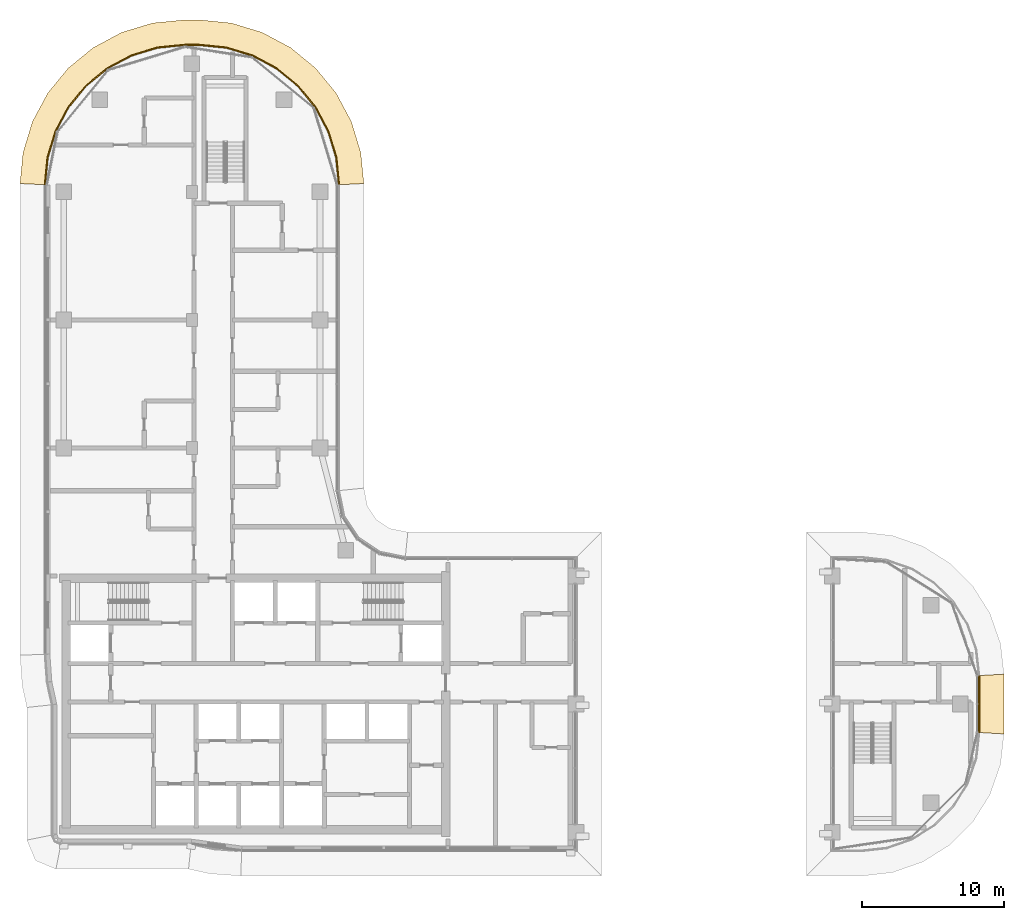
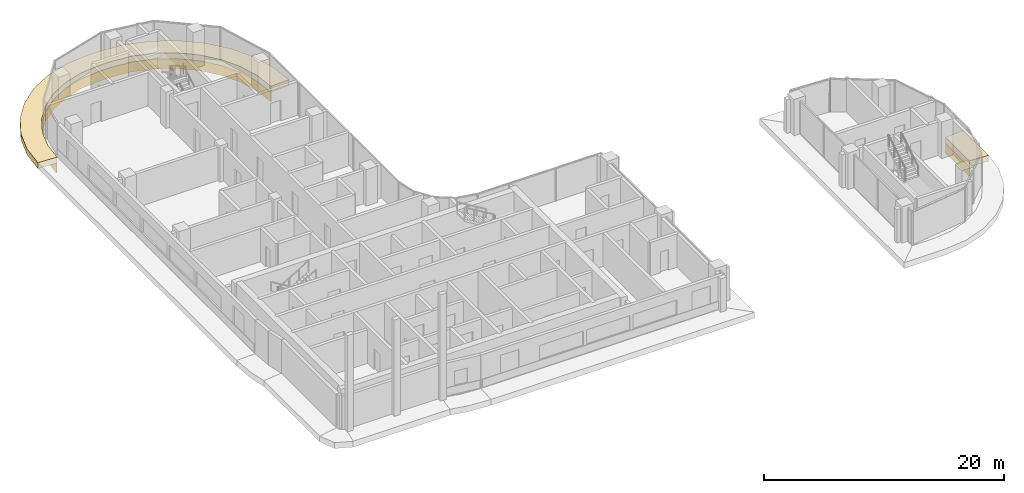
# One storey, part 27 of 27: 4 coverings.
"""IFC4 building model written with IfcOpenShell, lengths in metres."""

from ifc_helpers import new_model, si_unit, direction, frame, origin, place, context, subcontext, project, spatial, polyline, outline, extrude, material, layer, layer_set, type_object, element, save


model = new_model("IFC4")

# Units and contexts
model_context = context("Model", 3, precision=1e-05, world=origin(), true_north=direction((0.0, 1.0)))
body_context = subcontext(model_context, "Body", "Model", "MODEL_VIEW")
ifc_project = project(units=[si_unit("LENGTHUNIT", "METRE"), si_unit("AREAUNIT", "SQUARE_METRE"), si_unit("VOLUMEUNIT", "CUBIC_METRE"), si_unit("PLANEANGLEUNIT", "RADIAN"), si_unit("MASSUNIT", "GRAM", prefix="KILO")], contexts=[model_context])

# Site, building, storey
site_placement = place(None, origin())
site = spatial("IfcSite", under=ifc_project, at=site_placement, CompositionType="ELEMENT")
building_placement = place(site_placement, origin())
building = spatial("IfcBuilding", under=site, at=building_placement, Name="Ogive Portal Towers", CompositionType="ELEMENT")
storey_placement = place(building_placement, frame((0.0, 0.0, 160.699951171875)))
storey = spatial("IfcBuildingStorey", under=building, at=storey_placement, Name="L39", CompositionType="ELEMENT", Elevation=160.699951171875)

# Coverings
ifc_material = material(Name="Limestone cladding on lightweight block wall", Category="masonry")
ifc_layer_1 = layer(ifc_material, 0.080078125)
ifc_layer_set_1 = layer_set([ifc_layer_1], Name="STONE SPANDREL 80")
covering_type_1 = type_object("IfcCoveringType", Name="STONE SPANDREL 80", PredefinedType="CLADDING", material=ifc_layer_set_1)
covering_1_placement = place(storey_placement, frame((0.0, 0.0, -1.599853515625)))
element("IfcCovering", 1, at=covering_1_placement, inside=storey, type_object=covering_type_1, Name="Stone spandrel A1-F10", PredefinedType="CLADDING", context=body_context, shape_type="SweptSolid", body=[
    extrude(outline(polyline([(50.784912109375, 67.0), (50.596923828125, 68.908935546875), (50.040283203125, 70.74462890625), (49.135986328125, 72.436279296875), (47.9189453125, 73.9189453125), (46.436279296875, 75.135986328125), (44.74462890625, 76.040283203125), (42.908935546875, 76.596923828125), (41.0, 76.784912109375), (40.0, 76.784912109375), (38.091064453125, 76.596923828125), (36.25537109375, 76.040283203125), (34.563720703125, 75.135986328125), (33.0810546875, 73.9189453125), (31.864013671875, 72.436279296875), (30.959716796875, 70.74462890625), (30.403076171875, 68.908935546875), (30.215087890625, 67.0), (30.135009765625, 67.00390625), (30.32421875, 68.924560546875), (30.885498046875, 70.775390625), (31.797119140625, 72.48095703125), (33.024169921875, 73.975830078125), (34.51904296875, 75.202880859375), (36.224609375, 76.114501953125), (38.075439453125, 76.67578125), (39.99609375, 76.864990234375), (41.00390625, 76.864990234375), (42.924560546875, 76.67578125), (44.775390625, 76.114501953125), (46.48095703125, 75.202880859375), (47.975830078125, 73.975830078125), (49.202880859375, 72.48095703125), (50.114501953125, 70.775390625), (50.67578125, 68.924560546875), (50.864990234375, 67.00390625), (50.784912109375, 67.0)])), origin(), (0.0, 0.0, 1.0), 1.0),
])
covering_2_placement = place(storey_placement, frame((0.0, 0.0, -1.599853515625)))
element("IfcCovering", 2, at=covering_2_placement, inside=storey, type_object=covering_type_1, Name="Stone spandrel A2-F03", PredefinedType="CLADDING", context=body_context, shape_type="SweptSolid", body=[
    extrude(outline(polyline([(95.784912109375, 28.5), (95.784912109375, 32.5), (95.864990234375, 32.50439453125), (95.864990234375, 28.49560546875), (95.784912109375, 28.5)])), origin(), (0.0, 0.0, 1.0), 1.0),
])
ifc_layer_2 = layer(ifc_material, 0.60009765625)
ifc_layer_set_2 = layer_set([ifc_layer_2], Name="SUNSHADE LIP 600")
covering_type_2 = type_object("IfcCoveringType", Name="SUNSHADE LIP 600", PredefinedType="CLADDING", material=ifc_layer_set_2)
covering_3_placement = place(storey_placement, frame((0.0, 0.0, -0.599853515625)))
element("IfcCovering", 3, at=covering_3_placement, inside=storey, type_object=covering_type_2, Name="Sunshade lip A1-F10", PredefinedType="CLADDING", context=body_context, shape_type="SweptSolid", body=[
    extrude(outline(polyline([(50.784912109375, 67.0), (50.596923828125, 68.908935546875), (50.040283203125, 70.74462890625), (49.135986328125, 72.436279296875), (47.9189453125, 73.9189453125), (46.436279296875, 75.135986328125), (44.74462890625, 76.040283203125), (42.908935546875, 76.596923828125), (41.0, 76.784912109375), (40.0, 76.784912109375), (38.091064453125, 76.596923828125), (36.25537109375, 76.040283203125), (34.563720703125, 75.135986328125), (33.0810546875, 73.9189453125), (31.864013671875, 72.436279296875), (30.959716796875, 70.74462890625), (30.403076171875, 68.908935546875), (30.215087890625, 67.0), (28.4150390625, 67.08837890625), (28.629150390625, 69.26171875), (29.288818359375, 71.436767578125), (30.360107421875, 73.441162109375), (31.802001953125, 75.197998046875), (33.558837890625, 76.639892578125), (35.563232421875, 77.711181640625), (37.73828125, 78.370849609375), (39.91162109375, 78.5849609375), (41.08837890625, 78.5849609375), (43.26171875, 78.370849609375), (45.436767578125, 77.711181640625), (47.441162109375, 76.639892578125), (49.197998046875, 75.197998046875), (50.639892578125, 73.441162109375), (51.711181640625, 71.436767578125), (52.370849609375, 69.26171875), (52.5849609375, 67.08837890625), (50.784912109375, 67.0)])), origin(), (0.0, 0.0, 1.0), 0.599853515625),
])
covering_4_placement = place(storey_placement, frame((0.0, 0.0, -0.599853515625)))
element("IfcCovering", 4, at=covering_4_placement, inside=storey, type_object=covering_type_2, Name="Sunshade lip A2-F03", PredefinedType="CLADDING", context=body_context, shape_type="SweptSolid", body=[
    extrude(outline(polyline([(95.784912109375, 28.5), (95.784912109375, 32.5), (97.5849609375, 32.60107421875), (97.5849609375, 28.39892578125), (95.784912109375, 28.5)])), origin(), (0.0, 0.0, 1.0), 0.599853515625),
])

save(model, "model.ifc")
